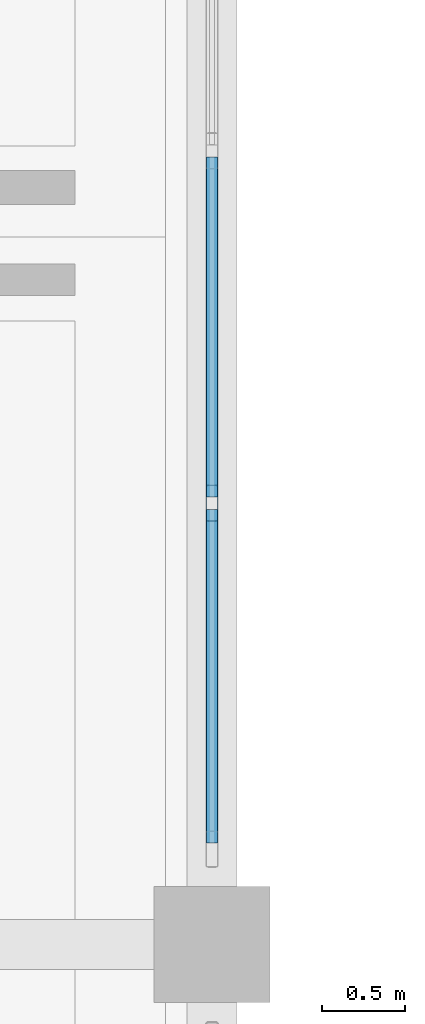
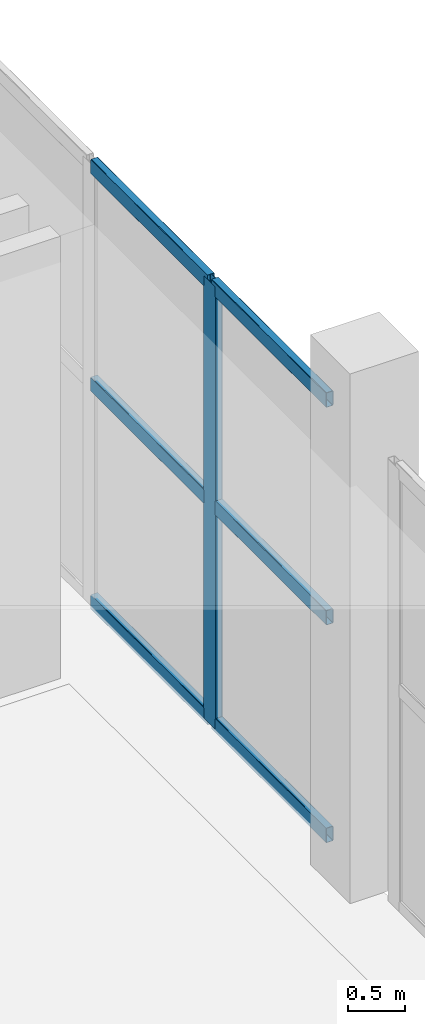
# One storey, part 21 of 49: 7 members, 1 element without a shape of its own.
"""IFC4 building model written with IfcOpenShell, lengths in metres."""

from ifc_helpers import new_model, si_unit, direction, frame, origin, origin_2d, place, context, subcontext, project, spatial, hollow_rectangle, extrude, material, layer, layer_set, material_profile, profile_set, type_object, element, aggregate, save


model = new_model("IFC4")

# Units and contexts
model_context = context("Model", 3, precision=1e-05, world=origin(), true_north=direction((0.0, 1.0)))
body_context = subcontext(model_context, "Body", "Model", "MODEL_VIEW")
ifc_project = project(units=[si_unit("LENGTHUNIT", "METRE"), si_unit("AREAUNIT", "SQUARE_METRE"), si_unit("VOLUMEUNIT", "CUBIC_METRE"), si_unit("PLANEANGLEUNIT", "RADIAN"), si_unit("MASSUNIT", "GRAM", prefix="KILO")], contexts=[model_context])

# Site, building, storey
site_placement = place(None, origin())
site = spatial("IfcSite", under=ifc_project, at=site_placement, CompositionType="ELEMENT")
building_placement = place(site_placement, origin())
building = spatial("IfcBuilding", under=site, at=building_placement, Name="Zulmaris Art Gallery", CompositionType="ELEMENT")
storey_placement = place(building_placement, frame((0.0, 0.0, 20.699951171875)))
storey = spatial("IfcBuildingStorey", under=building, at=storey_placement, Name="L04", CompositionType="ELEMENT", Elevation=20.699951171875)

# Curtain wall, members
ifc_material_1 = material(Name="Courtyard Artists Studio Curtain Wall", Category="aluminium")
ifc_layer = layer(ifc_material_1, 0.179931640625)
ifc_layer_set = layer_set([ifc_layer], Name="Courtyard Artists Studio Curtain Wall")
curtain_wall_type = type_object("IfcCurtainWallType", Name="CW-CW04", PredefinedType="NOTDEFINED", material=ifc_layer_set)
curtain_wall_placement = place(storey_placement, origin())
curtain_wall = element("IfcCurtainWall", 1, at=curtain_wall_placement, inside=storey, type_object=curtain_wall_type, Name="L04 curtain wall 160", PredefinedType="NOTDEFINED")
ifc_material_2 = material(Name="Anodised Bronze Aluminium", Category="aluminium")
ifc_material_profile_1 = material_profile(ifc_material_2, hollow_rectangle(XDim=0.074951171875, YDim=0.219970703125, WallThickness=0.0048828125, InnerFilletRadius=0.007568359375, OuterFilletRadius=0.012451171875, at=origin_2d()), Name="ALU 75x220x5")
ifc_profile_set_1 = profile_set([ifc_material_profile_1], Name="Anodised Bronze Aluminium")
member_type_1 = type_object("IfcMemberType", Name="CWMUL-02", PredefinedType="MULLION", material=ifc_profile_set_1)
member_1_placement = place(storey_placement, frame((158.39990234375, 43.469970703125, 0.0), z_axis=(0.0, 0.0, 1.0), x_axis=(-1.0, 0.0, 0.0)))
member_1 = element("IfcMember", 2, at=member_1_placement, type_object=member_type_1, Name="CW04 mullion 2", PredefinedType="MULLION", context=body_context, shape_type="SweptSolid", body=[
    extrude(hollow_rectangle(XDim=0.074951171875, YDim=0.219970703125, WallThickness=0.0048828125, InnerFilletRadius=0.007568359375, OuterFilletRadius=0.012451171875, at=origin_2d()), origin(), (0.0, 0.0, 1.0), 4.760009765625),
])
ifc_material_profile_2 = material_profile(ifc_material_2, hollow_rectangle(XDim=0.074951171875, YDim=0.159912109375, WallThickness=0.00390625, InnerFilletRadius=0.006103515625, OuterFilletRadius=0.010009765625, at=origin_2d()), Name="ALU 75x160x4")
ifc_profile_set_2 = profile_set([ifc_material_profile_2], Name="Anodised Bronze Aluminium")
member_type_2 = type_object("IfcMemberType", Name="CWTRN-02", PredefinedType="USERDEFINED", material=ifc_profile_set_2)
member_2_placement = place(storey_placement, frame((158.39990234375, 41.4150390625, 0.03759765625), z_axis=(0.0, 1.0, 0.0), x_axis=(-1.0, 0.0, 0.0)))
member_2 = element("IfcMember", 3, at=member_2_placement, type_object=member_type_2, Name="CW04 transom 1.1", ObjectType="TRANSOM", PredefinedType="USERDEFINED", context=body_context, shape_type="SweptSolid", body=[
    extrude(hollow_rectangle(XDim=0.074951171875, YDim=0.159912109375, WallThickness=0.00390625, InnerFilletRadius=0.006103515625, OuterFilletRadius=0.010009765625, at=origin_2d()), origin(), (0.0, 0.0, 1.0), 2.017578125),
])
member_3_placement = place(storey_placement, frame((158.39990234375, 41.4150390625, 2.380126953125), z_axis=(0.0, 1.0, 0.0), x_axis=(-1.0, 0.0, 0.0)))
member_3 = element("IfcMember", 4, at=member_3_placement, type_object=member_type_2, Name="CW04 transom 1.2", ObjectType="TRANSOM", PredefinedType="USERDEFINED", context=body_context, shape_type="SweptSolid", body=[
    extrude(hollow_rectangle(XDim=0.074951171875, YDim=0.159912109375, WallThickness=0.00390625, InnerFilletRadius=0.006103515625, OuterFilletRadius=0.010009765625, at=origin_2d()), origin(), (0.0, 0.0, 1.0), 2.017578125),
])
member_4_placement = place(storey_placement, frame((158.39990234375, 41.4150390625, 4.72265625), z_axis=(0.0, 1.0, 0.0), x_axis=(-1.0, 0.0, 0.0)))
member_4 = element("IfcMember", 5, at=member_4_placement, type_object=member_type_2, Name="CW04 transom 1.3", ObjectType="TRANSOM", PredefinedType="USERDEFINED", context=body_context, shape_type="SweptSolid", body=[
    extrude(hollow_rectangle(XDim=0.074951171875, YDim=0.159912109375, WallThickness=0.00390625, InnerFilletRadius=0.006103515625, OuterFilletRadius=0.010009765625, at=origin_2d()), origin(), (0.0, 0.0, 1.0), 2.017578125),
])
member_5_placement = place(storey_placement, frame((158.39990234375, 43.507568359375, 0.03759765625), z_axis=(0.0, 1.0, 0.0), x_axis=(-1.0, 0.0, 0.0)))
member_5 = element("IfcMember", 6, at=member_5_placement, type_object=member_type_2, Name="CW04 transom 2.1", ObjectType="TRANSOM", PredefinedType="USERDEFINED", context=body_context, shape_type="SweptSolid", body=[
    extrude(hollow_rectangle(XDim=0.074951171875, YDim=0.159912109375, WallThickness=0.00390625, InnerFilletRadius=0.006103515625, OuterFilletRadius=0.010009765625, at=origin_2d()), origin(), (0.0, 0.0, 1.0), 2.054931640625),
])
member_6_placement = place(storey_placement, frame((158.39990234375, 43.507568359375, 2.380126953125), z_axis=(0.0, 1.0, 0.0), x_axis=(-1.0, 0.0, 0.0)))
member_6 = element("IfcMember", 7, at=member_6_placement, type_object=member_type_2, Name="CW04 transom 2.2", ObjectType="TRANSOM", PredefinedType="USERDEFINED", context=body_context, shape_type="SweptSolid", body=[
    extrude(hollow_rectangle(XDim=0.074951171875, YDim=0.159912109375, WallThickness=0.00390625, InnerFilletRadius=0.006103515625, OuterFilletRadius=0.010009765625, at=origin_2d()), origin(), (0.0, 0.0, 1.0), 2.054931640625),
])
member_7_placement = place(storey_placement, frame((158.39990234375, 43.507568359375, 4.72265625), z_axis=(0.0, 1.0, 0.0), x_axis=(-1.0, 0.0, 0.0)))
member_7 = element("IfcMember", 8, at=member_7_placement, type_object=member_type_2, Name="CW04 transom 2.3", ObjectType="TRANSOM", PredefinedType="USERDEFINED", context=body_context, shape_type="SweptSolid", body=[
    extrude(hollow_rectangle(XDim=0.074951171875, YDim=0.159912109375, WallThickness=0.00390625, InnerFilletRadius=0.006103515625, OuterFilletRadius=0.010009765625, at=origin_2d()), origin(), (0.0, 0.0, 1.0), 2.054931640625),
])
aggregate(curtain_wall, [member_1, member_2, member_3, member_4, member_5, member_6, member_7])

save(model, "model.ifc")
